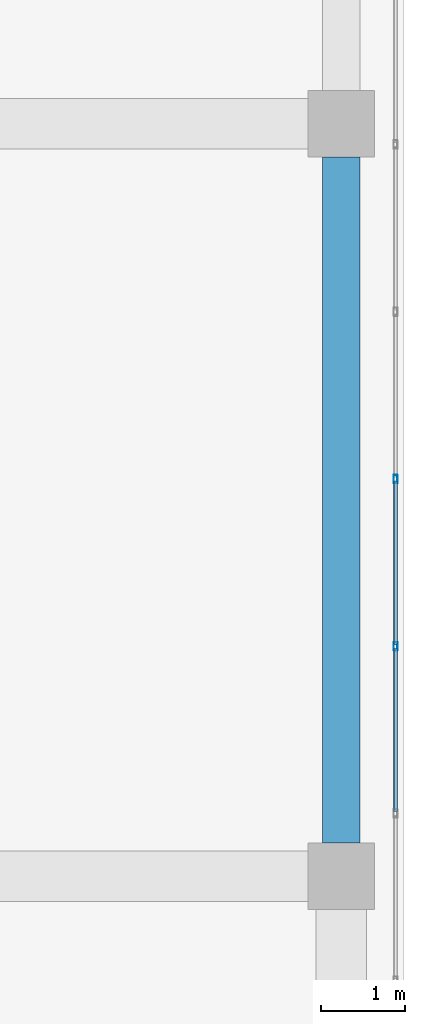
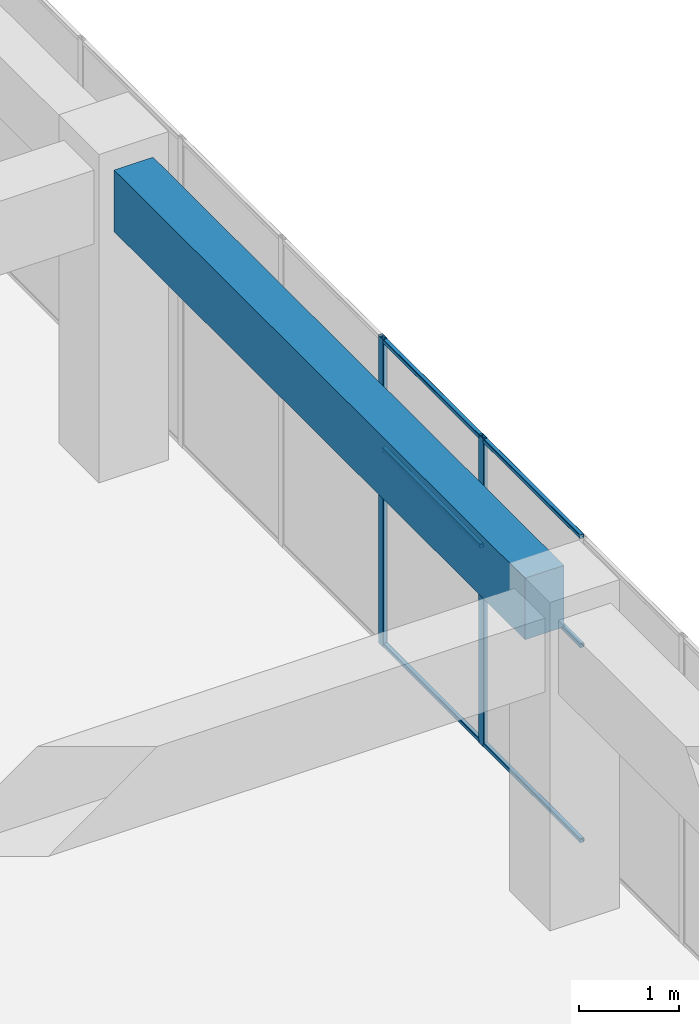
# One storey, part 39 of 65: 8 members, 1 beam, 1 element without a shape of its own.
"""IFC4 building model written with IfcOpenShell, lengths in metres."""

from ifc_helpers import new_model, si_unit, direction, frame, origin, origin_2d, place, context, subcontext, project, spatial, rectangle, hollow_rectangle, extrude, material, layer, layer_set, material_profile, profile_set, type_object, element, aggregate, save


model = new_model("IFC4")

# Units and contexts
model_context = context("Model", 3, precision=1e-05, world=origin(), true_north=direction((0.0, 1.0)))
body_context = subcontext(model_context, "Body", "Model", "MODEL_VIEW")
ifc_project = project(units=[si_unit("LENGTHUNIT", "METRE"), si_unit("AREAUNIT", "SQUARE_METRE"), si_unit("VOLUMEUNIT", "CUBIC_METRE"), si_unit("PLANEANGLEUNIT", "RADIAN"), si_unit("MASSUNIT", "GRAM", prefix="KILO")], contexts=[model_context])

# Site, building, storey
site_placement = place(None, origin())
site = spatial("IfcSite", under=ifc_project, at=site_placement, CompositionType="ELEMENT")
building_placement = place(site_placement, origin())
building = spatial("IfcBuilding", under=site, at=building_placement, Name="Tuart Plaza Theatre", CompositionType="ELEMENT")
storey_placement = place(building_placement, frame((0.0, 0.0, 9.5)))
storey = spatial("IfcBuildingStorey", under=building, at=storey_placement, Name="L02", CompositionType="ELEMENT", Elevation=9.5)

# Beam
ifc_material_1 = material(Name="Concrete N40 (40 MPa)", Category="concrete")
ifc_material_profile_1 = material_profile(ifc_material_1, rectangle(XDim=0.449951171875, YDim=0.75, at=origin_2d()), Name="BEAM 450x750 Concrete N40 (40 MPa)")
ifc_profile_set_1 = profile_set([ifc_material_profile_1], Name="Concrete N40 (40 MPa)")
beam_type = type_object("IfcBeamType", Name="BEAM 450x750 Concrete N40 (40 MPa)", PredefinedType="BEAM", material=ifc_profile_set_1)
beam_placement = place(storey_placement, frame((150.0, 56.39990234375, 3.375), z_axis=(0.0, 1.0, 0.0), x_axis=(-1.0, 0.0, 0.0)))
element("IfcBeam", 1, at=beam_placement, inside=storey, type_object=beam_type, Name="RB198", PredefinedType="BEAM", context=body_context, shape_type="SweptSolid", body=[
    extrude(rectangle(XDim=0.449951171875, YDim=0.75, at=origin_2d()), origin(), (0.0, 0.0, 1.0), 8.2001953125),
])

# Curtain wall, members
ifc_material_2 = material(Name="Aluminium and glass", Category="aluminium")
ifc_layer = layer(ifc_material_2, 0.10009765625)
ifc_layer_set = layer_set([ifc_layer], Name="CURTAIN WALL 2000 module")
curtain_wall_type = type_object("IfcCurtainWallType", Name="CURTAIN WALL 2000 module", PredefinedType="NOTDEFINED", material=ifc_layer_set)
curtain_wall_placement = place(storey_placement, origin())
curtain_wall = element("IfcCurtainWall", 2, at=curtain_wall_placement, inside=storey, type_object=curtain_wall_type, Name="CW69", PredefinedType="NOTDEFINED")
ifc_material_3 = material(Name="Aluminium 6063-T5", Category="aluminium")
ifc_material_profile_2 = material_profile(ifc_material_3, hollow_rectangle(XDim=0.050048828125, YDim=0.10009765625, WallThickness=0.00390625, InnerFilletRadius=0.00390625, OuterFilletRadius=0.008056640625, at=origin_2d()), Name="RHS 100x50x4")
ifc_profile_set_2 = profile_set([ifc_material_profile_2], Name="Aluminium 6063-T5")
member_type_1 = type_object("IfcMemberType", Name="MULLION RHS 100x50x4", PredefinedType="MULLION", material=ifc_profile_set_2)
member_1_placement = place(storey_placement, frame((150.64990234375, 58.75, 0.0), z_axis=(0.0, 0.0, 1.0), x_axis=(-1.0, 0.0, 0.0)))
member_1 = element("IfcMember", 3, at=member_1_placement, type_object=member_type_1, Name="CW69 mullion 5", PredefinedType="MULLION", context=body_context, shape_type="SweptSolid", body=[
    extrude(hollow_rectangle(XDim=0.050048828125, YDim=0.10009765625, WallThickness=0.00390625, InnerFilletRadius=0.00390625, OuterFilletRadius=0.008056640625, at=origin_2d()), origin(), (0.0, 0.0, 1.0), 3.75),
])
member_2_placement = place(storey_placement, frame((150.64990234375, 60.75, 0.0), z_axis=(0.0, 0.0, 1.0), x_axis=(-1.0, 0.0, 0.0)))
member_2 = element("IfcMember", 4, at=member_2_placement, type_object=member_type_1, Name="CW69 mullion 6", PredefinedType="MULLION", context=body_context, shape_type="SweptSolid", body=[
    extrude(hollow_rectangle(XDim=0.050048828125, YDim=0.10009765625, WallThickness=0.00390625, InnerFilletRadius=0.00390625, OuterFilletRadius=0.008056640625, at=origin_2d()), origin(), (0.0, 0.0, 1.0), 3.75),
])
ifc_material_4 = material(Name="Aluminium 6063-T5", Category="aluminium")
ifc_material_profile_3 = material_profile(ifc_material_4, hollow_rectangle(XDim=0.050048828125, YDim=0.050048828125, WallThickness=0.00390625, InnerFilletRadius=0.00390625, OuterFilletRadius=0.008056640625, at=origin_2d()), Name="RHS 50x50x4")
ifc_profile_set_3 = profile_set([ifc_material_profile_3], Name="Aluminium 6063-T5")
member_type_2 = type_object("IfcMemberType", Name="TRANSOM RHS 50x50x4", PredefinedType="USERDEFINED", material=ifc_profile_set_3)
member_3_placement = place(storey_placement, frame((150.64990234375, 56.77490234375, 0.02490234375), z_axis=(0.0, 1.0, 0.0), x_axis=(-1.0, 0.0, 0.0)))
member_3 = element("IfcMember", 5, at=member_3_placement, type_object=member_type_2, Name="CW69 transom 4.1", ObjectType="TRANSOM", PredefinedType="USERDEFINED", context=body_context, shape_type="SweptSolid", body=[
    extrude(hollow_rectangle(XDim=0.050048828125, YDim=0.050048828125, WallThickness=0.00390625, InnerFilletRadius=0.00390625, OuterFilletRadius=0.008056640625, at=origin_2d()), origin(), (0.0, 0.0, 1.0), 1.9501953125),
])
member_4_placement = place(storey_placement, frame((150.64990234375, 56.77490234375, 2.39990234375), z_axis=(0.0, 1.0, 0.0), x_axis=(-1.0, 0.0, 0.0)))
member_4 = element("IfcMember", 6, at=member_4_placement, type_object=member_type_2, Name="CW69 transom 4.2", ObjectType="TRANSOM", PredefinedType="USERDEFINED", context=body_context, shape_type="SweptSolid", body=[
    extrude(hollow_rectangle(XDim=0.050048828125, YDim=0.050048828125, WallThickness=0.00390625, InnerFilletRadius=0.00390625, OuterFilletRadius=0.008056640625, at=origin_2d()), origin(), (0.0, 0.0, 1.0), 1.9501953125),
])
member_5_placement = place(storey_placement, frame((150.64990234375, 56.77490234375, 3.72509765625), z_axis=(0.0, 1.0, 0.0), x_axis=(-1.0, 0.0, 0.0)))
member_5 = element("IfcMember", 7, at=member_5_placement, type_object=member_type_2, Name="CW69 transom 4.3", ObjectType="TRANSOM", PredefinedType="USERDEFINED", context=body_context, shape_type="SweptSolid", body=[
    extrude(hollow_rectangle(XDim=0.050048828125, YDim=0.050048828125, WallThickness=0.00390625, InnerFilletRadius=0.00390625, OuterFilletRadius=0.008056640625, at=origin_2d()), origin(), (0.0, 0.0, 1.0), 1.9501953125),
])
member_6_placement = place(storey_placement, frame((150.64990234375, 58.77490234375, 0.02490234375), z_axis=(0.0, 1.0, 0.0), x_axis=(-1.0, 0.0, 0.0)))
member_6 = element("IfcMember", 8, at=member_6_placement, type_object=member_type_2, Name="CW69 transom 5.1", ObjectType="TRANSOM", PredefinedType="USERDEFINED", context=body_context, shape_type="SweptSolid", body=[
    extrude(hollow_rectangle(XDim=0.050048828125, YDim=0.050048828125, WallThickness=0.00390625, InnerFilletRadius=0.00390625, OuterFilletRadius=0.008056640625, at=origin_2d()), origin(), (0.0, 0.0, 1.0), 1.9501953125),
])
member_7_placement = place(storey_placement, frame((150.64990234375, 58.77490234375, 2.39990234375), z_axis=(0.0, 1.0, 0.0), x_axis=(-1.0, 0.0, 0.0)))
member_7 = element("IfcMember", 9, at=member_7_placement, type_object=member_type_2, Name="CW69 transom 5.2", ObjectType="TRANSOM", PredefinedType="USERDEFINED", context=body_context, shape_type="SweptSolid", body=[
    extrude(hollow_rectangle(XDim=0.050048828125, YDim=0.050048828125, WallThickness=0.00390625, InnerFilletRadius=0.00390625, OuterFilletRadius=0.008056640625, at=origin_2d()), origin(), (0.0, 0.0, 1.0), 1.9501953125),
])
member_8_placement = place(storey_placement, frame((150.64990234375, 58.77490234375, 3.72509765625), z_axis=(0.0, 1.0, 0.0), x_axis=(-1.0, 0.0, 0.0)))
member_8 = element("IfcMember", 10, at=member_8_placement, type_object=member_type_2, Name="CW69 transom 5.3", ObjectType="TRANSOM", PredefinedType="USERDEFINED", context=body_context, shape_type="SweptSolid", body=[
    extrude(hollow_rectangle(XDim=0.050048828125, YDim=0.050048828125, WallThickness=0.00390625, InnerFilletRadius=0.00390625, OuterFilletRadius=0.008056640625, at=origin_2d()), origin(), (0.0, 0.0, 1.0), 1.9501953125),
])
aggregate(curtain_wall, [member_1, member_2, member_3, member_4, member_5, member_6, member_7, member_8])

save(model, "model.ifc")
